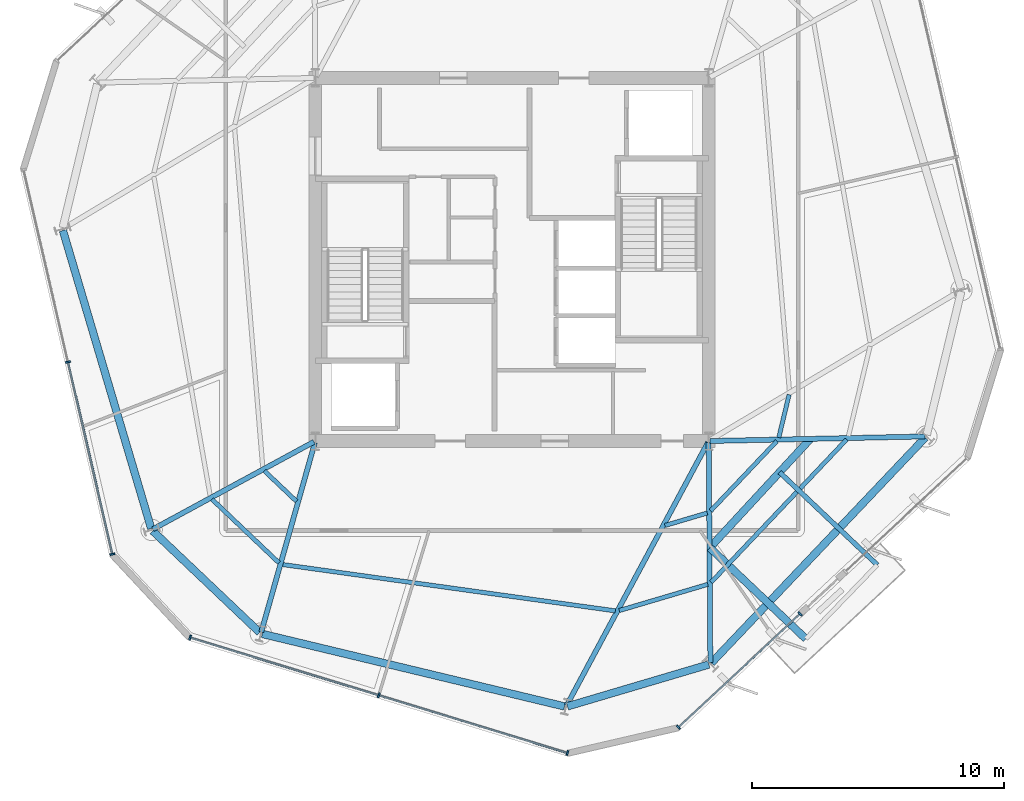
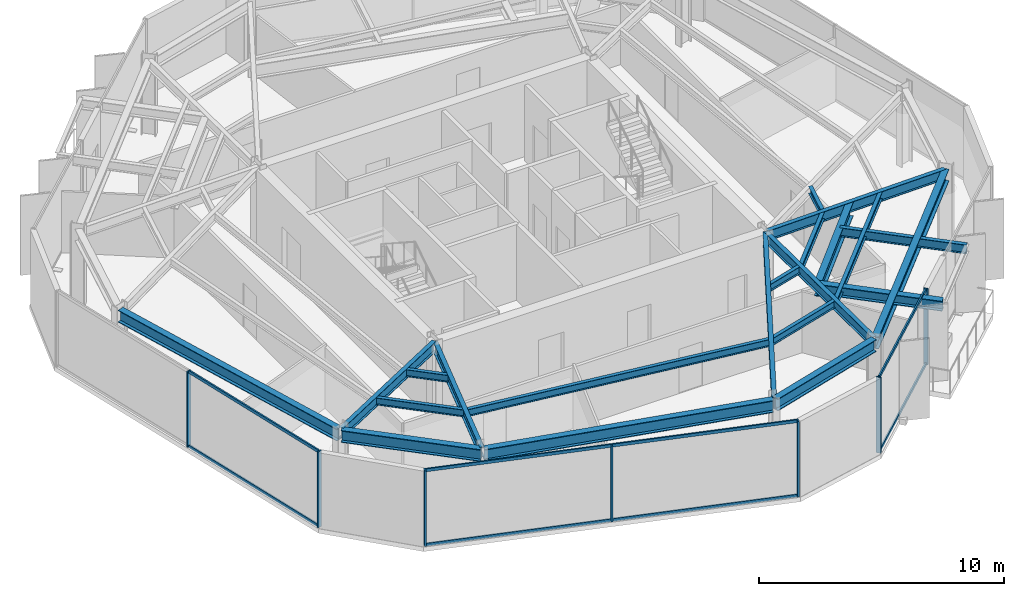
# One storey, part 2 of 11: 21 beams, 15 members, 3 elements without a shape of their own.
"""IFC4 building model written with IfcOpenShell, lengths in metres."""

from ifc_helpers import new_model, si_unit, direction, frame, origin, origin_2d, place, context, subcontext, project, spatial, rectangle, i_section, extrude, material, layer, layer_set, material_profile, profile_set, type_object, element, aggregate, save


model = new_model("IFC4")

# Units and contexts
model_context = context("Model", 3, precision=1e-05, world=origin(), true_north=direction((0.0, 1.0)))
body_context = subcontext(model_context, "Body", "Model", "MODEL_VIEW")
ifc_project = project(units=[si_unit("LENGTHUNIT", "METRE"), si_unit("AREAUNIT", "SQUARE_METRE"), si_unit("VOLUMEUNIT", "CUBIC_METRE"), si_unit("PLANEANGLEUNIT", "RADIAN"), si_unit("MASSUNIT", "GRAM", prefix="KILO")], contexts=[model_context])

# Site, building, storey
site_placement = place(None, origin())
site = spatial("IfcSite", under=ifc_project, at=site_placement, CompositionType="ELEMENT")
building_placement = place(site_placement, origin())
building = spatial("IfcBuilding", under=site, at=building_placement, Name="Kranzbogen Civic Tower", CompositionType="ELEMENT")
storey_placement = place(building_placement, frame((0.0, 0.0, 196.800048828125)))
storey = spatial("IfcBuildingStorey", under=building, at=storey_placement, Name="L47", CompositionType="ELEMENT", Elevation=196.800048828125)

# Beam
ifc_material_1 = material(Name="Steel S355", Category="steel")
ifc_material_profile_1 = material_profile(ifc_material_1, i_section(OverallWidth=0.18994140625, OverallDepth=0.449951171875, WebThickness=0.009521484375, FlangeThickness=0.0146484375, at=origin_2d()), Name="IPE 450")
ifc_profile_set_1 = profile_set([ifc_material_profile_1], Name="Steel S355")
beam_type_1 = type_object("IfcBeamType", Name="Braced Terrace Edge Beam IPE 450", PredefinedType="BEAM", material=ifc_profile_set_1)
beam_1_placement = place(storey_placement, frame((35.612060546875, 16.56396484375, 3.52490234375), z_axis=(0.725405738742, -0.688321519496, 0.0), x_axis=(0.688321519496, 0.725405738742, 0.0)))
element("IfcBeam", 1, at=beam_1_placement, inside=storey, type_object=beam_type_1, Name="L48 back-spanned terrace beam L48-TB1-2", PredefinedType="BEAM", context=body_context, shape_type="SweptSolid", body=[
    extrude(i_section(OverallWidth=0.18994140625, OverallDepth=0.449951171875, WebThickness=0.009521484375, FlangeThickness=0.0146484375, at=origin_2d()), origin(), (0.0, 0.0, 1.0), 5.339111328125),
])

# Curtain wall, members
ifc_material_2 = material(Name="Pale Anodised Aluminium", Category="aluminium")
ifc_layer = layer(ifc_material_2, 0.219970703125, Name="Pale Anodised Aluminium")
ifc_layer_set = layer_set([ifc_layer], Name="Pale Anodised Aluminium")
curtain_wall_type = type_object("IfcCurtainWallType", Name="Zone 3 Stick Curtain Wall System CW-04", PredefinedType="USERDEFINED", material=ifc_layer_set)
curtain_wall_1_placement = place(storey_placement, origin())
curtain_wall_1 = element("IfcCurtainWall", 2, at=curtain_wall_1_placement, inside=storey, type_object=curtain_wall_type, Name="L47 curtain wall CW-L47-F3", ObjectType="STICK CURTAIN WALL", PredefinedType="USERDEFINED")
ifc_material_profile_2 = material_profile(ifc_material_2, rectangle(XDim=0.070068359375, YDim=0.199951171875, at=origin_2d()), Name="ALU-M 70x200")
ifc_profile_set_2 = profile_set([ifc_material_profile_2], Name="Pale Anodised Aluminium")
member_type_1 = type_object("IfcMemberType", Name="Curtain Wall Mullion ALU-M 70x200", PredefinedType="MULLION", material=ifc_profile_set_2)
member_1_placement = place(storey_placement, frame((7.39208984375, 20.93505859375, 0.0), z_axis=(0.0, 0.0, 1.0), x_axis=(0.224971087375, -0.974365439579, 0.0)))
member_1 = element("IfcMember", 3, at=member_1_placement, type_object=member_type_1, Name="CW-04 mullion 2", PredefinedType="MULLION", context=body_context, shape_type="SweptSolid", body=[
    extrude(rectangle(XDim=0.070068359375, YDim=0.199951171875, at=origin_2d()), origin(), (0.0, 0.0, 1.0), 3.780029296875),
])
member_2_placement = place(storey_placement, frame((9.15234375, 13.311279296875, 0.0), z_axis=(0.0, 0.0, 1.0), x_axis=(0.224971087375, -0.974365439579, 0.0)))
member_2 = element("IfcMember", 4, at=member_2_placement, type_object=member_type_1, Name="CW-04 mullion 3", PredefinedType="MULLION", context=body_context, shape_type="SweptSolid", body=[
    extrude(rectangle(XDim=0.070068359375, YDim=0.199951171875, at=origin_2d()), origin(), (0.0, 0.0, 1.0), 3.780029296875),
])

curtain_wall_2_placement = place(storey_placement, origin())
curtain_wall_2 = element("IfcCurtainWall", 5, at=curtain_wall_2_placement, inside=storey, type_object=curtain_wall_type, Name="L47 curtain wall CW-L47-F4", ObjectType="STICK CURTAIN WALL", PredefinedType="USERDEFINED")
member_3_placement = place(storey_placement, frame((12.234619140625, 10.005126953125, 0.0), z_axis=(0.0, 0.0, 1.0), x_axis=(0.956311529973, -0.292349547017, 0.0)))
member_3 = element("IfcMember", 6, at=member_3_placement, type_object=member_type_1, Name="CW-04 mullion 1", PredefinedType="MULLION", context=body_context, shape_type="SweptSolid", body=[
    extrude(rectangle(XDim=0.070068359375, YDim=0.199951171875, at=origin_2d()), origin(), (0.0, 0.0, 1.0), 3.780029296875),
])
member_4_placement = place(storey_placement, frame((19.716552734375, 7.718017578125, 0.0), z_axis=(0.0, 0.0, 1.0), x_axis=(0.956311529973, -0.292349547017, 0.0)))
member_4 = element("IfcMember", 7, at=member_4_placement, type_object=member_type_1, Name="CW-04 mullion 2", PredefinedType="MULLION", context=body_context, shape_type="SweptSolid", body=[
    extrude(rectangle(XDim=0.070068359375, YDim=0.199951171875, at=origin_2d()), origin(), (0.0, 0.0, 1.0), 3.780029296875),
])
member_5_placement = place(storey_placement, frame((27.1982421875, 5.4306640625, 0.0), z_axis=(0.0, 0.0, 1.0), x_axis=(0.956311529973, -0.292349547017, 0.0)))
member_5 = element("IfcMember", 8, at=member_5_placement, type_object=member_type_1, Name="CW-04 mullion 3", PredefinedType="MULLION", context=body_context, shape_type="SweptSolid", body=[
    extrude(rectangle(XDim=0.070068359375, YDim=0.199951171875, at=origin_2d()), origin(), (0.0, 0.0, 1.0), 3.780029296875),
])

curtain_wall_3_placement = place(storey_placement, origin())
curtain_wall_3 = element("IfcCurtainWall", 9, at=curtain_wall_3_placement, inside=storey, type_object=curtain_wall_type, Name="L47 curtain wall CW-L47-F5-S1", ObjectType="STICK CURTAIN WALL", PredefinedType="USERDEFINED")
member_6_placement = place(storey_placement, frame((31.60302734375, 6.447509765625, 0.0), z_axis=(0.0, 0.0, 1.0), x_axis=(0.731325095632, 0.682029034939, 0.0)))
member_6 = element("IfcMember", 10, at=member_6_placement, type_object=member_type_1, Name="CW-04 mullion 1", PredefinedType="MULLION", context=body_context, shape_type="SweptSolid", body=[
    extrude(rectangle(XDim=0.070068359375, YDim=0.199951171875, at=origin_2d()), origin(), (0.0, 0.0, 1.0), 3.780029296875),
])
member_7_placement = place(storey_placement, frame((36.425048828125, 10.944580078125, 0.0), z_axis=(0.0, 0.0, 1.0), x_axis=(0.731325095632, 0.682029034939, 0.0)))
member_7 = element("IfcMember", 11, at=member_7_placement, type_object=member_type_1, Name="CW-04 mullion 2", PredefinedType="MULLION", context=body_context, shape_type="SweptSolid", body=[
    extrude(rectangle(XDim=0.070068359375, YDim=0.199951171875, at=origin_2d()), origin(), (0.0, 0.0, 1.0), 3.780029296875),
])

# Member
ifc_material_profile_3 = material_profile(ifc_material_2, rectangle(XDim=0.070068359375, YDim=0.14990234375, at=origin_2d()), Name="ALU-T 70x150")
ifc_profile_set_3 = profile_set([ifc_material_profile_3], Name="Pale Anodised Aluminium")
member_type_2 = type_object("IfcMemberType", Name="Curtain Wall Transom ALU-T 70x150", PredefinedType="USERDEFINED", material=ifc_profile_set_3)
member_8_placement = place(storey_placement, frame((7.398681640625, 20.90576171875, 0.030029296875), z_axis=(0.224983515295, -0.974362570015, 0.0), x_axis=(0.974362570015, 0.224983515295, 0.0)))
member_8 = element("IfcMember", 12, at=member_8_placement, type_object=member_type_2, Name="CW-04 transom 2.1", ObjectType="TRANSOM", PredefinedType="USERDEFINED", context=body_context, shape_type="SweptSolid", body=[
    extrude(rectangle(XDim=0.070068359375, YDim=0.14990234375, at=origin_2d()), origin(), (0.0, 0.0, 1.0), 7.76416015625),
])

member_9_placement = place(storey_placement, frame((7.398681640625, 20.90576171875, 3.75), z_axis=(0.224983515295, -0.974362570015, 0.0), x_axis=(0.974362570015, 0.224983515295, 0.0)))
member_9 = element("IfcMember", 13, at=member_9_placement, type_object=member_type_2, Name="CW-04 transom 2.2", ObjectType="TRANSOM", PredefinedType="USERDEFINED", context=body_context, shape_type="SweptSolid", body=[
    extrude(rectangle(XDim=0.070068359375, YDim=0.14990234375, at=origin_2d()), origin(), (0.0, 0.0, 1.0), 7.76416015625),
])

aggregate(curtain_wall_1, [member_1, member_2, member_8, member_9])

member_10_placement = place(storey_placement, frame((12.263427734375, 9.996337890625, 0.030029296875), z_axis=(0.956315922053, -0.292335179592, 0.0), x_axis=(0.292335179592, 0.956315922053, 0.0)))
member_10 = element("IfcMember", 14, at=member_10_placement, type_object=member_type_2, Name="CW-04 transom 1.1", ObjectType="TRANSOM", PredefinedType="USERDEFINED", context=body_context, shape_type="SweptSolid", body=[
    extrude(rectangle(XDim=0.070068359375, YDim=0.14990234375, at=origin_2d()), origin(), (0.0, 0.0, 1.0), 7.763427734375),
])

member_11_placement = place(storey_placement, frame((12.263427734375, 9.996337890625, 3.75), z_axis=(0.956315922053, -0.292335179592, 0.0), x_axis=(0.292335179592, 0.956315922053, 0.0)))
member_11 = element("IfcMember", 15, at=member_11_placement, type_object=member_type_2, Name="CW-04 transom 1.2", ObjectType="TRANSOM", PredefinedType="USERDEFINED", context=body_context, shape_type="SweptSolid", body=[
    extrude(rectangle(XDim=0.070068359375, YDim=0.14990234375, at=origin_2d()), origin(), (0.0, 0.0, 1.0), 7.763427734375),
])

member_12_placement = place(storey_placement, frame((19.7451171875, 7.709228515625, 0.030029296875), z_axis=(0.956309817986, -0.292355147079, 0.0), x_axis=(0.292355147079, 0.956309817986, 0.0)))
member_12 = element("IfcMember", 16, at=member_12_placement, type_object=member_type_2, Name="CW-04 transom 2.1", ObjectType="TRANSOM", PredefinedType="USERDEFINED", context=body_context, shape_type="SweptSolid", body=[
    extrude(rectangle(XDim=0.070068359375, YDim=0.14990234375, at=origin_2d()), origin(), (0.0, 0.0, 1.0), 7.763671875),
])

member_13_placement = place(storey_placement, frame((19.7451171875, 7.709228515625, 3.75), z_axis=(0.956309817986, -0.292355147079, 0.0), x_axis=(0.292355147079, 0.956309817986, 0.0)))
member_13 = element("IfcMember", 17, at=member_13_placement, type_object=member_type_2, Name="CW-04 transom 2.2", ObjectType="TRANSOM", PredefinedType="USERDEFINED", context=body_context, shape_type="SweptSolid", body=[
    extrude(rectangle(XDim=0.070068359375, YDim=0.14990234375, at=origin_2d()), origin(), (0.0, 0.0, 1.0), 7.763671875),
])

aggregate(curtain_wall_2, [member_3, member_4, member_5, member_10, member_11, member_12, member_13])

member_14_placement = place(storey_placement, frame((31.625, 6.468017578125, 0.030029296875), z_axis=(0.73132113506, 0.68203328175, 0.0), x_axis=(-0.68203328175, 0.73132113506, 0.0)))
member_14 = element("IfcMember", 18, at=member_14_placement, type_object=member_type_2, Name="CW-04 transom 1.1", ObjectType="TRANSOM", PredefinedType="USERDEFINED", context=body_context, shape_type="SweptSolid", body=[
    extrude(rectangle(XDim=0.070068359375, YDim=0.14990234375, at=origin_2d()), origin(), (0.0, 0.0, 1.0), 6.533447265625),
])

member_15_placement = place(storey_placement, frame((31.625, 6.468017578125, 3.75), z_axis=(0.73132113506, 0.68203328175, 0.0), x_axis=(-0.68203328175, 0.73132113506, 0.0)))
member_15 = element("IfcMember", 19, at=member_15_placement, type_object=member_type_2, Name="CW-04 transom 1.2", ObjectType="TRANSOM", PredefinedType="USERDEFINED", context=body_context, shape_type="SweptSolid", body=[
    extrude(rectangle(XDim=0.070068359375, YDim=0.14990234375, at=origin_2d()), origin(), (0.0, 0.0, 1.0), 6.533447265625),
])

aggregate(curtain_wall_3, [member_6, member_7, member_14, member_15])

# Beams
ifc_material_profile_4 = material_profile(ifc_material_1, i_section(OverallWidth=0.300048828125, OverallDepth=0.5, WebThickness=0.014404296875, FlangeThickness=0.028076171875, at=origin_2d()), Name="HEB 500")
ifc_profile_set_4 = profile_set([ifc_material_profile_4], Name="Steel S355")
beam_type_2 = type_object("IfcBeamType", Name="Perimeter Tube Spandrel Beam HEB 500", PredefinedType="SPANDREL", material=ifc_profile_set_4)
beam_2_placement = place(storey_placement, frame((32.844970703125, 13.570068359375, 3.5), z_axis=(0.72543810081, -0.688287412273, 0.0), x_axis=(0.688287412273, 0.72543810081, 0.0)))
element("IfcBeam", 20, at=beam_2_placement, inside=storey, type_object=beam_type_2, Name="L48 back-spanned terrace beam L48-TB1-1", PredefinedType="SPANDREL", context=body_context, shape_type="SweptSolid", body=[
    extrude(i_section(OverallWidth=0.300048828125, OverallDepth=0.5, WebThickness=0.014404296875, FlangeThickness=0.028076171875, at=origin_2d()), origin(), (0.0, 0.0, 1.0), 5.250732421875),
])
ifc_material_profile_5 = material_profile(ifc_material_1, i_section(OverallWidth=0.300048828125, OverallDepth=0.60009765625, WebThickness=0.015380859375, FlangeThickness=0.030029296875, at=origin_2d()), Name="HEB 600")
ifc_profile_set_5 = profile_set([ifc_material_profile_5], Name="Steel S355")
beam_type_3 = type_object("IfcBeamType", Name="Perimeter Tube Spandrel Beam HEB 600", PredefinedType="SPANDREL", material=ifc_profile_set_5)
beam_3_placement = place(storey_placement, frame((10.7509765625, 14.235107421875, 3.47998046875), z_axis=(0.725245206788, -0.688490660816, 0.0), x_axis=(0.688490660816, 0.725245206788, 0.0)))
element("IfcBeam", 21, at=beam_3_placement, inside=storey, type_object=beam_type_3, Name="L47 perimeter spandrel beam 01", PredefinedType="SPANDREL", context=body_context, shape_type="SweptSolid", body=[
    extrude(i_section(OverallWidth=0.300048828125, OverallDepth=0.60009765625, WebThickness=0.015380859375, FlangeThickness=0.030029296875, at=origin_2d()), origin(), (0.0, 0.0, 1.0), 5.85205078125),
])
beam_4_placement = place(storey_placement, frame((15.096923828125, 10.15087890625, 3.47998046875), z_axis=(0.972377592092, -0.233413406637, 0.0), x_axis=(0.233413406637, 0.972377592092, 0.0)))
element("IfcBeam", 22, at=beam_4_placement, inside=storey, type_object=beam_type_3, Name="L47 perimeter spandrel beam 02", PredefinedType="SPANDREL", context=body_context, shape_type="SweptSolid", body=[
    extrude(i_section(OverallWidth=0.300048828125, OverallDepth=0.60009765625, WebThickness=0.015380859375, FlangeThickness=0.030029296875, at=origin_2d()), origin(), (0.0, 0.0, 1.0), 12.32568359375),
])
beam_5_placement = place(storey_placement, frame((27.197998046875, 7.277099609375, 3.47998046875), z_axis=(0.9588296723, 0.283981794341, 0.0), x_axis=(-0.283981794341, 0.9588296723, 0.0)))
element("IfcBeam", 23, at=beam_5_placement, inside=storey, type_object=beam_type_3, Name="L47 perimeter spandrel beam 03", PredefinedType="SPANDREL", context=body_context, shape_type="SweptSolid", body=[
    extrude(i_section(OverallWidth=0.300048828125, OverallDepth=0.60009765625, WebThickness=0.015380859375, FlangeThickness=0.030029296875, at=origin_2d()), origin(), (0.0, 0.0, 1.0), 5.85205078125),
])
beam_6_placement = place(storey_placement, frame((32.907958984375, 9.0, 3.47998046875), z_axis=(0.688373497874, 0.725356414065, 0.0), x_axis=(-0.725356414065, 0.688373497874, 0.0)))
element("IfcBeam", 24, at=beam_6_placement, inside=storey, type_object=beam_type_3, Name="L47 perimeter spandrel beam 04", PredefinedType="SPANDREL", context=body_context, shape_type="SweptSolid", body=[
    extrude(i_section(OverallWidth=0.300048828125, OverallDepth=0.60009765625, WebThickness=0.015380859375, FlangeThickness=0.030029296875, at=origin_2d()), origin(), (0.0, 0.0, 1.0), 12.324951171875),
])
beam_7_placement = place(storey_placement, frame((7.18896484375, 26.15087890625, 3.47998046875), z_axis=(0.284064048956, -0.958805306666, 0.0), x_axis=(0.958805306666, 0.284064048956, 0.0)))
element("IfcBeam", 25, at=beam_7_placement, inside=storey, type_object=beam_type_3, Name="L47 perimeter spandrel beam 12", PredefinedType="SPANDREL", context=body_context, shape_type="SweptSolid", body=[
    extrude(i_section(OverallWidth=0.300048828125, OverallDepth=0.60009765625, WebThickness=0.015380859375, FlangeThickness=0.030029296875, at=origin_2d()), origin(), (0.0, 0.0, 1.0), 12.32470703125),
])
ifc_material_profile_6 = material_profile(ifc_material_1, i_section(OverallWidth=0.300048828125, OverallDepth=0.699951171875, WebThickness=0.01708984375, FlangeThickness=0.031982421875, at=origin_2d()), Name="HEB 700")
ifc_profile_set_6 = profile_set([ifc_material_profile_6], Name="Steel S355")
beam_type_4 = type_object("IfcBeamType", Name="Perimeter Tube Spandrel Beam HEB 700", PredefinedType="SPANDREL", material=ifc_profile_set_6)
beam_8_placement = place(storey_placement, frame((32.83203125, 13.555908203125, 3.39990234375), z_axis=(0.678733988671, 0.734384213218, 0.0), x_axis=(-0.734384213218, 0.678733988671, 0.0)))
element("IfcBeam", 26, at=beam_8_placement, inside=storey, type_object=beam_type_4, Name="L48 balcony back-span header girder L48-TB1", PredefinedType="SPANDREL", context=body_context, shape_type="SweptSolid", body=[
    extrude(i_section(OverallWidth=0.300048828125, OverallDepth=0.699951171875, WebThickness=0.01708984375, FlangeThickness=0.031982421875, at=origin_2d()), origin(), (0.0, 0.0, 1.0), 5.896240234375),
])
ifc_material_profile_7 = material_profile(ifc_material_1, i_section(OverallWidth=0.199951171875, OverallDepth=0.5, WebThickness=0.01025390625, FlangeThickness=0.01611328125, at=origin_2d()), Name="IPE 500")
ifc_profile_set_7 = profile_set([ifc_material_profile_7], Name="Steel S355")
beam_type_5 = type_object("IfcBeamType", Name="Radial Tower Floor Girder IPE 500", PredefinedType="BEAM", material=ifc_profile_set_7)
beam_9_placement = place(storey_placement, frame((10.760009765625, 14.304931640625, 3.530029296875), z_axis=(0.878919430102, 0.476970266777, 0.0), x_axis=(-0.476970266777, 0.878919430102, 0.0)))
element("IfcBeam", 27, at=beam_9_placement, inside=storey, type_object=beam_type_5, Name="L47 radial floor girder 01", PredefinedType="BEAM", context=body_context, shape_type="SweptSolid", body=[
    extrude(i_section(OverallWidth=0.199951171875, OverallDepth=0.5, WebThickness=0.01025390625, FlangeThickness=0.01611328125, at=origin_2d()), origin(), (0.0, 0.0, 1.0), 7.266845703125),
])
beam_10_placement = place(storey_placement, frame((15.054931640625, 10.222900390625, 3.530029296875), z_axis=(0.272455078988, 0.962168503919, 0.0), x_axis=(-0.962168503919, 0.272455078988, 0.0)))
element("IfcBeam", 28, at=beam_10_placement, inside=storey, type_object=beam_type_5, Name="L47 radial floor girder 02", PredefinedType="BEAM", context=body_context, shape_type="SweptSolid", body=[
    extrude(i_section(OverallWidth=0.199951171875, OverallDepth=0.5, WebThickness=0.01025390625, FlangeThickness=0.01611328125, at=origin_2d()), origin(), (0.0, 0.0, 1.0), 7.814697265625),
])
beam_11_placement = place(storey_placement, frame((27.16796875, 7.31298828125, 3.530029296875), z_axis=(0.473160413549, 0.880976289721, 0.0), x_axis=(-0.880976289721, 0.473160413549, 0.0)))
element("IfcBeam", 29, at=beam_11_placement, inside=storey, type_object=beam_type_5, Name="L47 radial floor girder 03", PredefinedType="BEAM", context=body_context, shape_type="SweptSolid", body=[
    extrude(i_section(OverallWidth=0.199951171875, OverallDepth=0.5, WebThickness=0.01025390625, FlangeThickness=0.01611328125, at=origin_2d()), origin(), (0.0, 0.0, 1.0), 11.84375),
])
beam_12_placement = place(storey_placement, frame((32.866943359375, 9.01611328125, 3.530029296875), z_axis=(-0.007667756557, 0.999970602323, 0.0), x_axis=(-0.999970602323, -0.007667756557, 0.0)))
element("IfcBeam", 30, at=beam_12_placement, inside=storey, type_object=beam_type_5, Name="L47 radial floor girder 04", PredefinedType="BEAM", context=body_context, shape_type="SweptSolid", body=[
    extrude(i_section(OverallWidth=0.199951171875, OverallDepth=0.5, WebThickness=0.01025390625, FlangeThickness=0.01611328125, at=origin_2d()), origin(), (0.0, 0.0, 1.0), 8.72412109375),
])
beam_13_placement = place(storey_placement, frame((41.373046875, 17.98291015625, 3.530029296875), z_axis=(-0.99977183191, -0.021360808018, 0.0), x_axis=(0.021360808018, -0.99977183191, 0.0)))
element("IfcBeam", 31, at=beam_13_placement, inside=storey, type_object=beam_type_5, Name="L47 radial floor girder 05", PredefinedType="BEAM", context=body_context, shape_type="SweptSolid", body=[
    extrude(i_section(OverallWidth=0.199951171875, OverallDepth=0.5, WebThickness=0.01025390625, FlangeThickness=0.01611328125, at=origin_2d()), origin(), (0.0, 0.0, 1.0), 8.514892578125),
])
ifc_material_profile_8 = material_profile(ifc_material_1, i_section(OverallWidth=0.169921875, OverallDepth=0.360107421875, WebThickness=0.008056640625, FlangeThickness=0.0126953125, at=origin_2d()), Name="IPE 360")
ifc_profile_set_8 = profile_set([ifc_material_profile_8], Name="Steel S355")
beam_type_6 = type_object("IfcBeamType", Name="Secondary Composite Floor Joist IPE 360", PredefinedType="JOIST", material=ifc_profile_set_8)
beam_14_placement = place(storey_placement, frame((13.10302734375, 15.489990234375, 3.599853515625), z_axis=(0.725300648604, -0.688432254572, 0.0), x_axis=(0.688432254572, 0.725300648604, 0.0)))
element("IfcBeam", 32, at=beam_14_placement, inside=storey, type_object=beam_type_6, Name="L47 secondary floor joist 1.01", PredefinedType="JOIST", context=body_context, shape_type="SweptSolid", body=[
    extrude(i_section(OverallWidth=0.169921875, OverallDepth=0.360107421875, WebThickness=0.008056640625, FlangeThickness=0.0126953125, at=origin_2d()), origin(), (0.0, 0.0, 1.0), 3.661865234375),
])
beam_15_placement = place(storey_placement, frame((15.179931640625, 16.616943359375, 3.599853515625), z_axis=(0.725479767774, -0.688243493649, 0.0), x_axis=(0.688243493649, 0.725479767774, 0.0)))
element("IfcBeam", 33, at=beam_15_placement, inside=storey, type_object=beam_type_6, Name="L47 secondary floor joist 2.01", PredefinedType="JOIST", context=body_context, shape_type="SweptSolid", body=[
    extrude(i_section(OverallWidth=0.169921875, OverallDepth=0.360107421875, WebThickness=0.008056640625, FlangeThickness=0.0126953125, at=origin_2d()), origin(), (0.0, 0.0, 1.0), 1.75048828125),
])
beam_16_placement = place(storey_placement, frame((15.89599609375, 12.903076171875, 3.599853515625), z_axis=(0.990445837232, -0.137902296968, 0.0), x_axis=(0.137902296968, 0.990445837232, 0.0)))
element("IfcBeam", 34, at=beam_16_placement, inside=storey, type_object=beam_type_6, Name="L47 secondary floor joist 1.02", PredefinedType="JOIST", context=body_context, shape_type="SweptSolid", body=[
    extrude(i_section(OverallWidth=0.169921875, OverallDepth=0.360107421875, WebThickness=0.008056640625, FlangeThickness=0.0126953125, at=origin_2d()), origin(), (0.0, 0.0, 1.0), 13.329345703125),
])
beam_17_placement = place(storey_placement, frame((29.25390625, 11.076904296875, 3.599853515625), z_axis=(0.958843823165, 0.283934011309, 0.0), x_axis=(-0.283934011309, 0.958843823165, 0.0)))
element("IfcBeam", 35, at=beam_17_placement, inside=storey, type_object=beam_type_6, Name="L47 secondary floor joist 1.03", PredefinedType="JOIST", context=body_context, shape_type="SweptSolid", body=[
    extrude(i_section(OverallWidth=0.169921875, OverallDepth=0.360107421875, WebThickness=0.008056640625, FlangeThickness=0.0126953125, at=origin_2d()), origin(), (0.0, 0.0, 1.0), 3.662841796875),
])
beam_18_placement = place(storey_placement, frame((31.06591796875, 14.449951171875, 3.599853515625), z_axis=(0.958871214757, 0.283841493638, 0.0), x_axis=(-0.283841493638, 0.958871214757, 0.0)))
element("IfcBeam", 36, at=beam_18_placement, inside=storey, type_object=beam_type_6, Name="L47 secondary floor joist 2.03", PredefinedType="JOIST", context=body_context, shape_type="SweptSolid", body=[
    extrude(i_section(OverallWidth=0.169921875, OverallDepth=0.360107421875, WebThickness=0.008056640625, FlangeThickness=0.0126953125, at=origin_2d()), origin(), (0.0, 0.0, 1.0), 1.751220703125),
])
beam_19_placement = place(storey_placement, frame((32.89794921875, 12.197998046875, 3.599853515625), z_axis=(0.688282381634, 0.725442873789, 0.0), x_axis=(-0.725442873789, 0.688282381634, 0.0)))
element("IfcBeam", 37, at=beam_19_placement, inside=storey, type_object=beam_type_6, Name="L47 secondary floor joist 1.04", PredefinedType="JOIST", context=body_context, shape_type="SweptSolid", body=[
    extrude(i_section(OverallWidth=0.169921875, OverallDepth=0.360107421875, WebThickness=0.008056640625, FlangeThickness=0.0126953125, at=origin_2d()), origin(), (0.0, 0.0, 1.0), 7.804931640625),
])
beam_20_placement = place(storey_placement, frame((32.876953125, 15.028076171875, 3.599853515625), z_axis=(0.688175084876, 0.725544659243, 0.0), x_axis=(-0.725544659243, 0.688175084876, 0.0)))
element("IfcBeam", 38, at=beam_20_placement, inside=storey, type_object=beam_type_6, Name="L47 secondary floor joist 2.04", PredefinedType="JOIST", context=body_context, shape_type="SweptSolid", body=[
    extrude(i_section(OverallWidth=0.169921875, OverallDepth=0.360107421875, WebThickness=0.008056640625, FlangeThickness=0.0126953125, at=origin_2d()), origin(), (0.0, 0.0, 1.0), 3.82177734375),
])
beam_21_placement = place(storey_placement, frame((35.5810546875, 17.93701171875, 3.599853515625), z_axis=(0.233631438607, 0.972325228972, 0.0), x_axis=(-0.972325228972, 0.233631438607, 0.0)))
element("IfcBeam", 39, at=beam_21_placement, inside=storey, type_object=beam_type_6, Name="L47 secondary floor joist 2.05", PredefinedType="JOIST", context=body_context, shape_type="SweptSolid", body=[
    extrude(i_section(OverallWidth=0.169921875, OverallDepth=0.360107421875, WebThickness=0.008056640625, FlangeThickness=0.0126953125, at=origin_2d()), origin(), (0.0, 0.0, 1.0), 1.750244140625),
])

save(model, "model.ifc")
